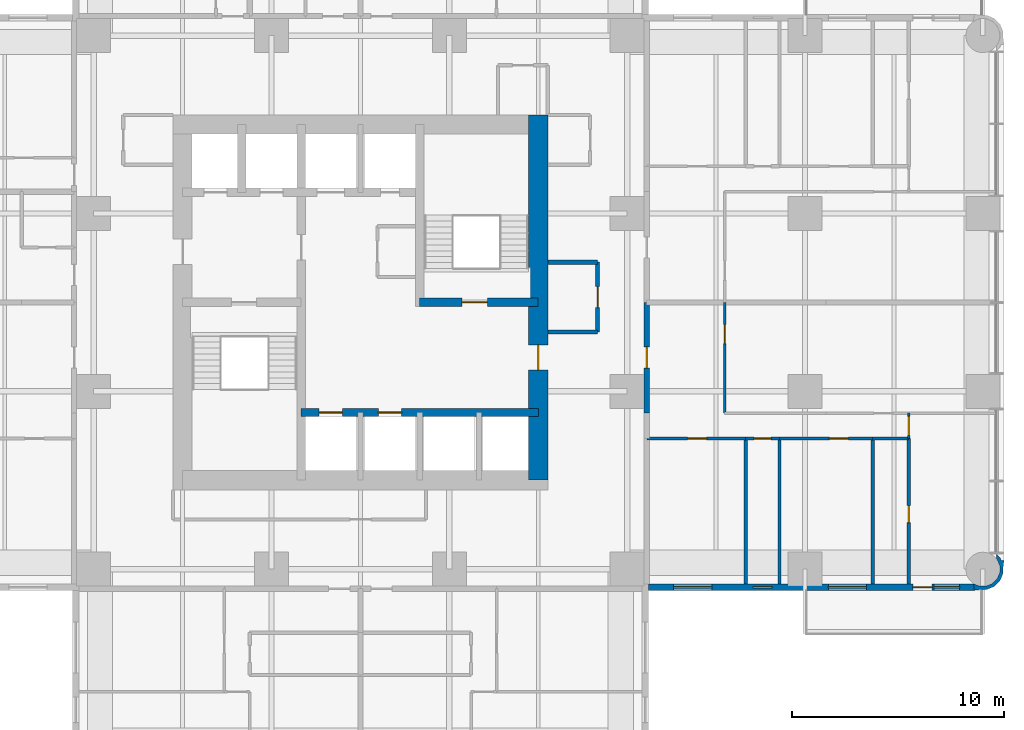
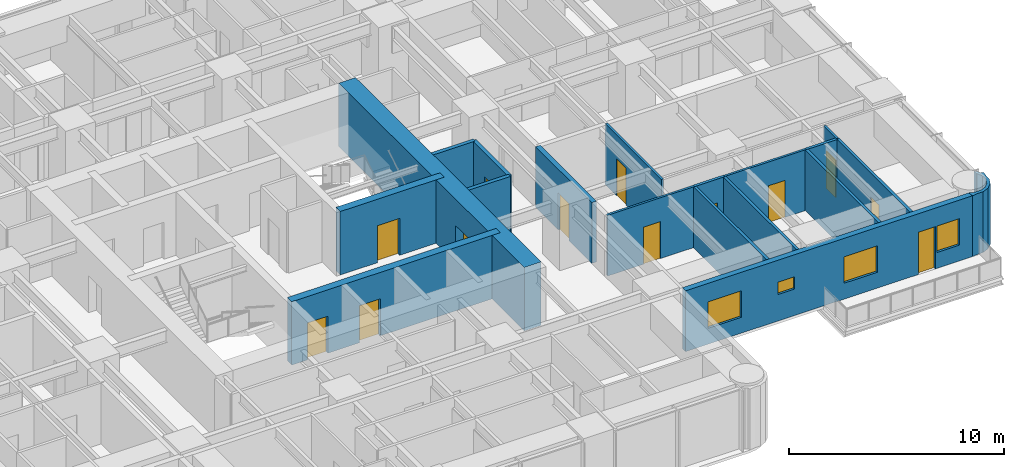
# One storey, part 9 of 14: 19 walls, 13 doors, 4 windows, 17 openings.
"""IFC4 building model written with IfcOpenShell, lengths in metres."""

from ifc_helpers import new_model, si_unit, direction, frame, frame_2d, origin, place, context, subcontext, project, spatial, polyline, rectangle, outline, extrude, material, layer, layer_set, type_object, element, fill, save


model = new_model("IFC4")

# Units and contexts
model_context = context("Model", 3, precision=1e-05, world=origin(), true_north=direction((0.0, 1.0)))
body_context = subcontext(model_context, "Body", "Model", "MODEL_VIEW")
ifc_project = project(units=[si_unit("LENGTHUNIT", "METRE"), si_unit("AREAUNIT", "SQUARE_METRE"), si_unit("VOLUMEUNIT", "CUBIC_METRE"), si_unit("PLANEANGLEUNIT", "RADIAN"), si_unit("MASSUNIT", "GRAM", prefix="KILO")], contexts=[model_context])

# Site, building, storey
site_placement = place(None, origin())
site = spatial("IfcSite", under=ifc_project, at=site_placement, CompositionType="ELEMENT")
building_placement = place(site_placement, origin())
building = spatial("IfcBuilding", under=site, at=building_placement, Name="Torre Alcanfor", CompositionType="ELEMENT")
storey_placement = place(building_placement, frame((0.0, 0.0, 134.10009765625)))
storey = spatial("IfcBuildingStorey", under=building, at=storey_placement, Name="L34", CompositionType="ELEMENT", Elevation=134.10009765625)

# Wall, opening, door
ifc_material_1 = material(Name="Concrete block masonry, hollow blocks NMX-C-404 9 MPa", Category="masonry")
ifc_layer_1 = layer(ifc_material_1, 0.25)
ifc_layer_set_1 = layer_set([ifc_layer_1], Name="Apartment entrance wall 250 EI 60")
wall_type_1 = type_object("IfcWallType", Name="Apartment entrance wall 250 EI 60", PredefinedType="PARTITIONING", material=ifc_layer_set_1)
wall_1_placement = place(storey_placement, frame((42.925048828125, 29.39990234375, 0.0), z_axis=(0.0, 0.0, 1.0), x_axis=(0.0, -1.0, 0.0)))
wall_1 = element("IfcWall", 1, at=wall_1_placement, inside=storey, type_object=wall_type_1, Name="Partition L34-CORR / L34-E2-ZAG", PredefinedType="PARTITIONING", context=body_context, shape_type="SweptSolid", body=[
    extrude(rectangle(XDim=5.22900390625, YDim=0.25, at=frame_2d((2.614501953125, 0.0))), origin(), (0.0, 0.0, 1.0), 3.449951171875),
])
opening_1_placement = place(wall_1_placement, frame((2.10009765625, 0.0, 0.0)))
opening_1 = element("IfcOpeningElement", 2, at=opening_1_placement, cuts=wall_1, Name="Opening D-A1", PredefinedType="OPENING", context=body_context, shape_type="SweptSolid", body=[
    extrude(rectangle(XDim=1.0, YDim=2.10009765625, at=frame_2d((0.5, 1.050048828125))), frame((0.0, 0.135009765625, 0.0), z_axis=(0.0, -1.0, 0.0), x_axis=(1.0, 0.0, 0.0)), (0.0, 0.0, 1.0), 0.27001953125),
])
ifc_material_2 = material(Name="Galvanised steel sheet ASTM A653", Category="steel")
door_type_1 = type_object("IfcDoorType", Name="Apartment entrance door FD60 1000x2100", OperationType="SINGLE_SWING_LEFT", PredefinedType="DOOR", material=ifc_material_2)
door_1_placement = place(opening_1_placement, origin())
door_1 = element("IfcDoor", 3, at=door_1_placement, inside=storey, type_object=door_type_1, Name="Apartment entrance L34-E2", OperationType="SINGLE_SWING_LEFT", OverallHeight=2.10009765625, OverallWidth=1.0, PredefinedType="DOOR", context=body_context, shape_type="SweptSolid", body=[
    extrude(rectangle(XDim=1.0, YDim=2.10009765625, at=frame_2d((0.5, 1.050048828125))), frame((0.0, 0.02490234375, 0.0), z_axis=(0.0, -1.0, 0.0), x_axis=(1.0, 0.0, 0.0)), (0.0, 0.0, 1.0), 0.050048828125),
])
fill(opening_1, door_1)

ifc_material_3 = material(Name="Gypsum board on steel studs", Category="steel")
ifc_layer_2 = layer(ifc_material_3, 0.1201171875)
ifc_layer_set_2 = layer_set([ifc_layer_2], Name="Apartment partition 120")
wall_type_2 = type_object("IfcWallType", Name="Apartment partition 120", PredefinedType="PARTITIONING", material=ifc_layer_set_2)
wall_2_placement = place(storey_placement, frame((46.60009765625, 29.39990234375, 0.0), z_axis=(0.0, 0.0, 1.0), x_axis=(0.0, -1.0, 0.0)))
wall_2 = element("IfcWall", 4, at=wall_2_placement, inside=storey, type_object=wall_type_2, Name="Partition L34-E2-ZAG / L34-E2-KITCHEN", PredefinedType="PARTITIONING", context=body_context, shape_type="SweptSolid", body=[
    extrude(rectangle(XDim=5.22900390625, YDim=0.1201171875, at=frame_2d((2.614501953125, 0.0))), origin(), (0.0, 0.0, 1.0), 3.449951171875),
])
opening_2_placement = place(wall_2_placement, frame((1.050048828125, 0.0, 0.0)))
opening_2 = element("IfcOpeningElement", 5, at=opening_2_placement, cuts=wall_2, Name="Opening D-R1", PredefinedType="OPENING", context=body_context, shape_type="SweptSolid", body=[
    extrude(rectangle(XDim=0.89990234375, YDim=2.10009765625, at=frame_2d((0.449951171875, 1.050048828125))), frame((0.0, 0.070068359375, 0.0), z_axis=(0.0, -1.0, 0.0), x_axis=(1.0, 0.0, 0.0)), (0.0, 0.0, 1.0), 0.14013671875),
])
ifc_material_4 = material(Name="Timber", Category="wood")
door_type_2 = type_object("IfcDoorType", Name="Internal door 900x2100", OperationType="SINGLE_SWING_LEFT", PredefinedType="DOOR", material=ifc_material_4)
door_2_placement = place(opening_2_placement, origin())
door_2 = element("IfcDoor", 6, at=door_2_placement, inside=storey, type_object=door_type_2, Name="Door L34-E2 kitchen", OperationType="SINGLE_SWING_LEFT", OverallHeight=2.10009765625, OverallWidth=0.89990234375, PredefinedType="DOOR", context=body_context, shape_type="SweptSolid", body=[
    extrude(rectangle(XDim=0.89990234375, YDim=2.10009765625, at=frame_2d((0.449951171875, 1.050048828125))), frame((0.0, 0.02490234375, 0.0), z_axis=(0.0, -1.0, 0.0), x_axis=(1.0, 0.0, 0.0)), (0.0, 0.0, 1.0), 0.050048828125),
])
fill(opening_2, door_2)

wall_3_placement = place(storey_placement, frame((47.60009765625, 22.970947265625, 0.0), z_axis=(0.0, 0.0, 1.0), x_axis=(-1.0, 0.0, 0.0)))
wall_3 = element("IfcWall", 7, at=wall_3_placement, inside=storey, type_object=wall_type_2, Name="Partition L34-E2-HALL / L34-E2-BED3", PredefinedType="PARTITIONING", context=body_context, shape_type="SweptSolid", body=[
    extrude(rectangle(XDim=4.675048828125, YDim=0.1201171875, at=frame_2d((2.33740234375, 0.0))), origin(), (0.0, 0.0, 1.0), 3.449951171875),
])
opening_3_placement = place(wall_3_placement, frame((1.85009765625, 0.0, 0.0)))
opening_3 = element("IfcOpeningElement", 8, at=opening_3_placement, cuts=wall_3, Name="Opening D-R1", PredefinedType="OPENING", context=body_context, shape_type="SweptSolid", body=[
    extrude(rectangle(XDim=0.89990234375, YDim=2.10009765625, at=frame_2d((0.449951171875, 1.050048828125))), frame((0.0, 0.070068359375, 0.0), z_axis=(0.0, -1.0, 0.0), x_axis=(1.0, 0.0, 0.0)), (0.0, 0.0, 1.0), 0.14013671875),
])
door_3_placement = place(opening_3_placement, origin())
door_3 = element("IfcDoor", 9, at=door_3_placement, inside=storey, type_object=door_type_2, Name="Door L34-E2 bed3", OperationType="SINGLE_SWING_LEFT", OverallHeight=2.10009765625, OverallWidth=0.89990234375, PredefinedType="DOOR", context=body_context, shape_type="SweptSolid", body=[
    extrude(rectangle(XDim=0.89990234375, YDim=2.10009765625, at=frame_2d((0.449951171875, 1.050048828125))), frame((0.0, 0.02490234375, 0.0), z_axis=(0.0, -1.0, 0.0), x_axis=(1.0, 0.0, 0.0)), (0.0, 0.0, 1.0), 0.050048828125),
])
fill(opening_3, door_3)

wall_4_placement = place(storey_placement, frame((53.60009765625, 22.970947265625, 0.0), z_axis=(0.0, 0.0, 1.0), x_axis=(-1.0, 0.0, 0.0)))
wall_4 = element("IfcWall", 10, at=wall_4_placement, inside=storey, type_object=wall_type_2, Name="Partition L34-E2-HALL / L34-E2-BED2", PredefinedType="PARTITIONING", context=body_context, shape_type="SweptSolid", body=[
    extrude(rectangle(XDim=4.400146484375, YDim=0.1201171875, at=frame_2d((2.2001953125, 0.0))), origin(), (0.0, 0.0, 1.0), 3.449951171875),
])
opening_4_placement = place(wall_4_placement, frame((1.14990234375, 0.0, 0.0)))
opening_4 = element("IfcOpeningElement", 11, at=opening_4_placement, cuts=wall_4, Name="Opening D-R1", PredefinedType="OPENING", context=body_context, shape_type="SweptSolid", body=[
    extrude(rectangle(XDim=0.89990234375, YDim=2.10009765625, at=frame_2d((0.449951171875, 1.050048828125))), frame((0.0, 0.070068359375, 0.0), z_axis=(0.0, -1.0, 0.0), x_axis=(1.0, 0.0, 0.0)), (0.0, 0.0, 1.0), 0.14013671875),
])
door_4_placement = place(opening_4_placement, origin())
door_4 = element("IfcDoor", 12, at=door_4_placement, inside=storey, type_object=door_type_2, Name="Door L34-E2 bed2", OperationType="SINGLE_SWING_LEFT", OverallHeight=2.10009765625, OverallWidth=0.89990234375, PredefinedType="DOOR", context=body_context, shape_type="SweptSolid", body=[
    extrude(rectangle(XDim=0.89990234375, YDim=2.10009765625, at=frame_2d((0.449951171875, 1.050048828125))), frame((0.0, 0.02490234375, 0.0), z_axis=(0.0, -1.0, 0.0), x_axis=(1.0, 0.0, 0.0)), (0.0, 0.0, 1.0), 0.050048828125),
])
fill(opening_4, door_4)

wall_5_placement = place(storey_placement, frame((55.300048828125, 24.1708984375, 0.0), z_axis=(0.0, 0.0, 1.0), x_axis=(0.0, -1.0, 0.0)))
wall_5 = element("IfcWall", 13, at=wall_5_placement, inside=storey, type_object=wall_type_2, Name="Partition L34-E2-HALL / L34-E2-MASTER", PredefinedType="PARTITIONING", context=body_context, shape_type="SweptSolid", body=[
    extrude(rectangle(XDim=1.199951171875, YDim=0.1201171875, at=frame_2d((0.60009765625, 0.0))), origin(), (0.0, 0.0, 1.0), 3.449951171875),
])
opening_5_placement = place(wall_5_placement, frame((0.15087890625, 0.0, 0.0)))
opening_5 = element("IfcOpeningElement", 14, at=opening_5_placement, cuts=wall_5, Name="Opening D-R1", PredefinedType="OPENING", context=body_context, shape_type="SweptSolid", body=[
    extrude(rectangle(XDim=0.89990234375, YDim=2.10009765625, at=frame_2d((0.449951171875, 1.050048828125))), frame((0.0, 0.070068359375, 0.0), z_axis=(0.0, -1.0, 0.0), x_axis=(1.0, 0.0, 0.0)), (0.0, 0.0, 1.0), 0.14013671875),
])
door_5_placement = place(opening_5_placement, origin())
door_5 = element("IfcDoor", 15, at=door_5_placement, inside=storey, type_object=door_type_2, Name="Door L34-E2 master", OperationType="SINGLE_SWING_LEFT", OverallHeight=2.10009765625, OverallWidth=0.89990234375, PredefinedType="DOOR", context=body_context, shape_type="SweptSolid", body=[
    extrude(rectangle(XDim=0.89990234375, YDim=2.10009765625, at=frame_2d((0.449951171875, 1.050048828125))), frame((0.0, 0.02490234375, 0.0), z_axis=(0.0, -1.0, 0.0), x_axis=(1.0, 0.0, 0.0)), (0.0, 0.0, 1.0), 0.050048828125),
])
fill(opening_5, door_5)

# Wall, openings, doors
ifc_material_5 = material(Name="Concrete f'c 70 MPa", Category="concrete")
ifc_layer_3 = layer(ifc_material_5, 0.39990234375)
ifc_layer_set_3 = layer_set([ifc_layer_3], Name="Core inner wall 400 f'c70")
wall_type_3 = type_object("IfcWallType", Name="Core inner wall 400 f'c70", PredefinedType="SHEAR", material=ifc_layer_set_3)
wall_6_placement = place(storey_placement, frame((26.60009765625, 24.199951171875, 0.0), z_axis=(0.0, 0.0, 1.0), x_axis=(1.0, 0.0, 0.0)))
wall_6 = element("IfcWall", 16, at=wall_6_placement, inside=storey, type_object=wall_type_3, Name="Core wall Y242 L34", PredefinedType="SHEAR", context=body_context, shape_type="SweptSolid", body=[
    extrude(rectangle(XDim=11.199951171875, YDim=0.39990234375, at=frame_2d((5.60009765625, 0.0))), origin(), (0.0, 0.0, 1.0), 3.599853515625),
])
opening_6_placement = place(wall_6_placement, frame((0.85009765625, 0.0, 0.0)))
opening_6 = element("IfcOpeningElement", 17, at=opening_6_placement, cuts=wall_6, Name="Opening LD1", PredefinedType="OPENING", context=body_context, shape_type="SweptSolid", body=[
    extrude(rectangle(XDim=1.10009765625, YDim=2.10009765625, at=frame_2d((0.550048828125, 1.050048828125))), frame((0.0, 0.2099609375, 0.0), z_axis=(0.0, -1.0, 0.0), x_axis=(1.0, 0.0, 0.0)), (0.0, 0.0, 1.0), 0.419921875),
])
opening_7_placement = place(wall_6_placement, frame((3.64990234375, 0.0, 0.0)))
opening_7 = element("IfcOpeningElement", 18, at=opening_7_placement, cuts=wall_6, Name="Opening LD1", PredefinedType="OPENING", context=body_context, shape_type="SweptSolid", body=[
    extrude(rectangle(XDim=1.10009765625, YDim=2.10009765625, at=frame_2d((0.550048828125, 1.050048828125))), frame((0.0, 0.2099609375, 0.0), z_axis=(0.0, -1.0, 0.0), x_axis=(1.0, 0.0, 0.0)), (0.0, 0.0, 1.0), 0.419921875),
])
ifc_material_6 = material(Name="Galvanised steel sheet ASTM A653", Category="steel")
door_type_3 = type_object("IfcDoorType", Name="Lift landing door 1100x2100", OperationType="DOUBLE_DOOR_SLIDING", PredefinedType="DOOR", material=ifc_material_6)
door_6_placement = place(opening_6_placement, origin())
door_6 = element("IfcDoor", 19, at=door_6_placement, inside=storey, type_object=door_type_3, Name="Lift landing door PA1 L34", OperationType="DOUBLE_DOOR_SLIDING", OverallHeight=2.10009765625, OverallWidth=1.10009765625, PredefinedType="DOOR", context=body_context, shape_type="SweptSolid", body=[
    extrude(rectangle(XDim=1.10009765625, YDim=2.10009765625, at=frame_2d((0.550048828125, 1.050048828125))), frame((0.0, 0.02490234375, 0.0), z_axis=(0.0, -1.0, 0.0), x_axis=(1.0, 0.0, 0.0)), (0.0, 0.0, 1.0), 0.050048828125),
])
fill(opening_6, door_6)
door_7_placement = place(opening_7_placement, origin())
door_7 = element("IfcDoor", 20, at=door_7_placement, inside=storey, type_object=door_type_3, Name="Lift landing door PA2 L34", OperationType="DOUBLE_DOOR_SLIDING", OverallHeight=2.10009765625, OverallWidth=1.10009765625, PredefinedType="DOOR", context=body_context, shape_type="SweptSolid", body=[
    extrude(rectangle(XDim=1.10009765625, YDim=2.10009765625, at=frame_2d((0.550048828125, 1.050048828125))), frame((0.0, 0.02490234375, 0.0), z_axis=(0.0, -1.0, 0.0), x_axis=(1.0, 0.0, 0.0)), (0.0, 0.0, 1.0), 0.050048828125),
])
fill(opening_7, door_7)

# Wall, opening, door
wall_7_placement = place(storey_placement, frame((32.199951171875, 29.39990234375, 0.0), z_axis=(0.0, 0.0, 1.0), x_axis=(1.0, 0.0, 0.0)))
wall_7 = element("IfcWall", 21, at=wall_7_placement, inside=storey, type_object=wall_type_3, Name="Core wall Y294E L34", PredefinedType="SHEAR", context=body_context, shape_type="SweptSolid", body=[
    extrude(rectangle(XDim=5.60009765625, YDim=0.39990234375, at=frame_2d((2.800048828125, 0.0))), origin(), (0.0, 0.0, 1.0), 3.599853515625),
])
opening_8_placement = place(wall_7_placement, frame((2.0, 0.0, 0.0)))
opening_8 = element("IfcOpeningElement", 22, at=opening_8_placement, cuts=wall_7, Name="Opening D-S2", PredefinedType="OPENING", context=body_context, shape_type="SweptSolid", body=[
    extrude(rectangle(XDim=1.199951171875, YDim=2.10009765625, at=frame_2d((0.60009765625, 1.050048828125))), frame((0.0, 0.2099609375, 0.0), z_axis=(0.0, -1.0, 0.0), x_axis=(1.0, 0.0, 0.0)), (0.0, 0.0, 1.0), 0.419921875),
])
ifc_material_7 = material(Name="Galvanised steel sheet ASTM A653", Category="steel")
door_type_4 = type_object("IfcDoorType", Name="Stair enclosure door FD120 1200x2100", OperationType="SINGLE_SWING_LEFT", PredefinedType="DOOR", material=ifc_material_7)
door_8_placement = place(opening_8_placement, origin())
door_8 = element("IfcDoor", 23, at=door_8_placement, inside=storey, type_object=door_type_4, Name="Stair S2 door L34", OperationType="SINGLE_SWING_LEFT", OverallHeight=2.10009765625, OverallWidth=1.199951171875, PredefinedType="DOOR", context=body_context, shape_type="SweptSolid", body=[
    extrude(rectangle(XDim=1.199951171875, YDim=2.10009765625, at=frame_2d((0.60009765625, 1.050048828125))), frame((0.0, 0.02490234375, 0.0), z_axis=(0.0, -1.0, 0.0), x_axis=(1.0, 0.0, 0.0)), (0.0, 0.0, 1.0), 0.050048828125),
])
fill(opening_8, door_8)

ifc_material_8 = material(Name="Concrete f'c 70 MPa", Category="concrete")
ifc_layer_4 = layer(ifc_material_8, 0.89990234375)
ifc_layer_set_4 = layer_set([ifc_layer_4], Name="Core wall 900 f'c70")
wall_type_4 = type_object("IfcWallType", Name="Core wall 900 f'c70", PredefinedType="SHEAR", material=ifc_layer_set_4)
wall_8_placement = place(storey_placement, frame((37.800048828125, 21.0, 0.0), z_axis=(0.0, 0.0, 1.0), x_axis=(0.0, 1.0, 0.0)))
wall_8 = element("IfcWall", 24, at=wall_8_placement, inside=storey, type_object=wall_type_4, Name="Core wall OUT-E L34", PredefinedType="SHEAR", context=body_context, shape_type="SweptSolid", body=[
    extrude(rectangle(XDim=17.25, YDim=0.89990234375, at=frame_2d((8.625, 0.0))), origin(), (0.0, 0.0, 1.0), 3.599853515625),
])
opening_9_placement = place(wall_8_placement, frame((5.199951171875, 0.0, 0.0)))
opening_9 = element("IfcOpeningElement", 25, at=opening_9_placement, cuts=wall_8, Name="Opening D-L1", PredefinedType="OPENING", context=body_context, shape_type="SweptSolid", body=[
    extrude(rectangle(XDim=1.199951171875, YDim=2.10009765625, at=frame_2d((0.60009765625, 1.050048828125))), frame((0.0, 0.4599609375, 0.0), z_axis=(0.0, -1.0, 0.0), x_axis=(1.0, 0.0, 0.0)), (0.0, 0.0, 1.0), 0.919921875),
])
ifc_material_9 = material(Name="Galvanised steel sheet ASTM A653", Category="steel")
door_type_5 = type_object("IfcDoorType", Name="Lobby door FD120 1200x2100", OperationType="SINGLE_SWING_LEFT", PredefinedType="DOOR", material=ifc_material_9)
door_9_placement = place(opening_9_placement, origin())
door_9 = element("IfcDoor", 26, at=door_9_placement, inside=storey, type_object=door_type_5, Name="Lift lobby entrance door L34", OperationType="SINGLE_SWING_LEFT", OverallHeight=2.10009765625, OverallWidth=1.199951171875, PredefinedType="DOOR", context=body_context, shape_type="SweptSolid", body=[
    extrude(rectangle(XDim=1.199951171875, YDim=2.10009765625, at=frame_2d((0.60009765625, 1.050048828125))), frame((0.0, 0.02490234375, 0.0), z_axis=(0.0, -1.0, 0.0), x_axis=(1.0, 0.0, 0.0)), (0.0, 0.0, 1.0), 0.050048828125),
])
fill(opening_9, door_9)

# Wall, openings, door, windows
ifc_material_10 = material(Name="Limestone cladding", Category="masonry")
ifc_layer_5 = layer(ifc_material_10, 0.0400390625, Name="Facing")
ifc_material_11 = material(Name="Ventilated air cavity")
ifc_layer_6 = layer(ifc_material_11, 0.02001953125, ventilated=True, Name="Ventilated joint")
ifc_material_12 = material(Name="Mineral wool insulation", Category="insulation")
ifc_layer_7 = layer(ifc_material_12, 0.10009765625, Name="Insulation")
ifc_material_13 = material(Name="Concrete f'c 35 MPa", Category="concrete")
ifc_layer_8 = layer(ifc_material_13, 0.139892578125, Name="Backing")
ifc_layer_set_5 = layer_set([ifc_layer_5, ifc_layer_6, ifc_layer_7, ifc_layer_8], Name="External wall stone-clad 300")
wall_type_5 = type_object("IfcWallType", Name="External wall stone-clad 300", PredefinedType="SOLIDWALL", material=ifc_layer_set_5)
wall_9_placement = place(storey_placement, frame((43.0, 15.949951171875, 0.0), z_axis=(0.0, 0.0, 1.0), x_axis=(1.0, 0.0, 0.0)))
wall_9 = element("IfcWall", 27, at=wall_9_placement, inside=storey, type_object=wall_type_5, Name="External wall L34 7", PredefinedType="SOLIDWALL", context=body_context, shape_type="SweptSolid", body=[
    extrude(rectangle(XDim=15.39990234375, YDim=0.300048828125, at=frame_2d((7.699951171875, 0.0))), origin(), (0.0, 0.0, 1.0), 3.449951171875),
])
opening_10_placement = place(wall_9_placement, frame((1.199951171875, 0.0, 0.89990234375)))
opening_10 = element("IfcOpeningElement", 28, at=opening_10_placement, cuts=wall_9, Name="Opening W2", PredefinedType="OPENING", context=body_context, shape_type="SweptSolid", body=[
    extrude(rectangle(XDim=1.800048828125, YDim=1.5, at=frame_2d((0.89990234375, 0.75))), frame((0.0, 0.159912109375, 0.0), z_axis=(0.0, -1.0, 0.0), x_axis=(1.0, 0.0, 0.0)), (0.0, 0.0, 1.0), 0.320068359375),
])
opening_11_placement = place(wall_9_placement, frame((4.949951171875, 0.0, 1.5)))
opening_11 = element("IfcOpeningElement", 29, at=opening_11_placement, cuts=wall_9, Name="Opening W3", PredefinedType="OPENING", context=body_context, shape_type="SweptSolid", body=[
    extrude(rectangle(XDim=0.89990234375, YDim=0.699951171875, at=frame_2d((0.449951171875, 0.35009765625))), frame((0.0, 0.159912109375, 0.0), z_axis=(0.0, -1.0, 0.0), x_axis=(1.0, 0.0, 0.0)), (0.0, 0.0, 1.0), 0.320068359375),
])
opening_12_placement = place(wall_9_placement, frame((8.5, 0.0, 0.89990234375)))
opening_12 = element("IfcOpeningElement", 30, at=opening_12_placement, cuts=wall_9, Name="Opening W2", PredefinedType="OPENING", context=body_context, shape_type="SweptSolid", body=[
    extrude(rectangle(XDim=1.800048828125, YDim=1.5, at=frame_2d((0.89990234375, 0.75))), frame((0.0, 0.159912109375, 0.0), z_axis=(0.0, -1.0, 0.0), x_axis=(1.0, 0.0, 0.0)), (0.0, 0.0, 1.0), 0.320068359375),
])
opening_13_placement = place(wall_9_placement, frame((12.5, 0.0, 0.0)))
opening_13 = element("IfcOpeningElement", 31, at=opening_13_placement, cuts=wall_9, Name="Opening D-B1", PredefinedType="OPENING", context=body_context, shape_type="SweptSolid", body=[
    extrude(rectangle(XDim=0.89990234375, YDim=2.39990234375, at=frame_2d((0.449951171875, 1.199951171875))), frame((0.0, 0.159912109375, 0.0), z_axis=(0.0, -1.0, 0.0), x_axis=(1.0, 0.0, 0.0)), (0.0, 0.0, 1.0), 0.320068359375),
])
opening_14_placement = place(wall_9_placement, frame((13.5, 0.0, 0.89990234375)))
opening_14 = element("IfcOpeningElement", 32, at=opening_14_placement, cuts=wall_9, Name="Opening W4", PredefinedType="OPENING", context=body_context, shape_type="SweptSolid", body=[
    extrude(rectangle(XDim=1.199951171875, YDim=1.5, at=frame_2d((0.60009765625, 0.75))), frame((0.0, 0.159912109375, 0.0), z_axis=(0.0, -1.0, 0.0), x_axis=(1.0, 0.0, 0.0)), (0.0, 0.0, 1.0), 0.320068359375),
])
ifc_material_14 = material(Name="Aluminium and glass", Category="aluminium")
door_type_6 = type_object("IfcDoorType", Name="Balcony door glazed 900x2400", OperationType="SINGLE_SWING_LEFT", PredefinedType="DOOR", material=ifc_material_14)
door_10_placement = place(opening_13_placement, origin())
door_10 = element("IfcDoor", 33, at=door_10_placement, inside=storey, type_object=door_type_6, Name="Balcony door L34-E2", OperationType="SINGLE_SWING_LEFT", OverallHeight=2.39990234375, OverallWidth=0.89990234375, PredefinedType="DOOR", context=body_context, shape_type="SweptSolid", body=[
    extrude(rectangle(XDim=0.89990234375, YDim=2.39990234375, at=frame_2d((0.449951171875, 1.199951171875))), frame((0.0, 0.02490234375, 0.0), z_axis=(0.0, -1.0, 0.0), x_axis=(1.0, 0.0, 0.0)), (0.0, 0.0, 1.0), 0.050048828125),
])
fill(opening_13, door_10)
ifc_material_15 = material(Name="Aluminium frame with clear double glazing", Category="aluminium")
window_type_1 = type_object("IfcWindowType", Name="Window bathroom 900x700", PartitioningType="SINGLE_PANEL", PredefinedType="WINDOW", material=ifc_material_15)
window_1_placement = place(opening_11_placement, origin())
window_1 = element("IfcWindow", 34, at=window_1_placement, inside=storey, type_object=window_type_1, Name="Window W3 L34-E2", OverallHeight=0.699951171875, OverallWidth=0.89990234375, PartitioningType="SINGLE_PANEL", PredefinedType="WINDOW", context=body_context, shape_type="SweptSolid", body=[
    extrude(rectangle(XDim=0.89990234375, YDim=0.699951171875, at=frame_2d((0.449951171875, 0.35009765625))), frame((0.0, 0.030029296875, 0.0), z_axis=(0.0, -1.0, 0.0), x_axis=(1.0, 0.0, 0.0)), (0.0, 0.0, 1.0), 0.06005859375),
])
fill(opening_11, window_1)
ifc_material_16 = material(Name="Aluminium frame with clear double glazing", Category="aluminium")
window_type_2 = type_object("IfcWindowType", Name="Window bedroom 1200x1500", PartitioningType="SINGLE_PANEL", PredefinedType="WINDOW", material=ifc_material_16)
window_2_placement = place(opening_14_placement, origin())
window_2 = element("IfcWindow", 35, at=window_2_placement, inside=storey, type_object=window_type_2, Name="Window W4 L34-E2", OverallHeight=1.5, OverallWidth=1.199951171875, PartitioningType="SINGLE_PANEL", PredefinedType="WINDOW", context=body_context, shape_type="SweptSolid", body=[
    extrude(rectangle(XDim=1.199951171875, YDim=1.5, at=frame_2d((0.60009765625, 0.75))), frame((0.0, 0.030029296875, 0.0), z_axis=(0.0, -1.0, 0.0), x_axis=(1.0, 0.0, 0.0)), (0.0, 0.0, 1.0), 0.06005859375),
])
fill(opening_14, window_2)
ifc_material_17 = material(Name="Aluminium frame with clear double glazing", Category="aluminium")
window_type_3 = type_object("IfcWindowType", Name="Window bedroom 1800x1500", PartitioningType="SINGLE_PANEL", PredefinedType="WINDOW", material=ifc_material_17)
window_3_placement = place(opening_10_placement, origin())
window_3 = element("IfcWindow", 36, at=window_3_placement, inside=storey, type_object=window_type_3, Name="Window W2 L34-E2", OverallHeight=1.5, OverallWidth=1.800048828125, PartitioningType="SINGLE_PANEL", PredefinedType="WINDOW", context=body_context, shape_type="SweptSolid", body=[
    extrude(rectangle(XDim=1.800048828125, YDim=1.5, at=frame_2d((0.89990234375, 0.75))), frame((0.0, 0.030029296875, 0.0), z_axis=(0.0, -1.0, 0.0), x_axis=(1.0, 0.0, 0.0)), (0.0, 0.0, 1.0), 0.06005859375),
])
fill(opening_10, window_3)
window_4_placement = place(opening_12_placement, origin())
window_4 = element("IfcWindow", 37, at=window_4_placement, inside=storey, type_object=window_type_3, Name="Window W2 L34-E2", OverallHeight=1.5, OverallWidth=1.800048828125, PartitioningType="SINGLE_PANEL", PredefinedType="WINDOW", context=body_context, shape_type="SweptSolid", body=[
    extrude(rectangle(XDim=1.800048828125, YDim=1.5, at=frame_2d((0.89990234375, 0.75))), frame((0.0, 0.030029296875, 0.0), z_axis=(0.0, -1.0, 0.0), x_axis=(1.0, 0.0, 0.0)), (0.0, 0.0, 1.0), 0.06005859375),
])
fill(opening_12, window_4)

# Wall
ifc_material_18 = material(Name="Concrete block masonry, hollow blocks NMX-C-404 9 MPa", Category="masonry")
ifc_layer_9 = layer(ifc_material_18, 0.199951171875)
ifc_layer_set_6 = layer_set([ifc_layer_9], Name="Plant room wall 200 EI 60")
wall_type_6 = type_object("IfcWallType", Name="Plant room wall 200 EI 60", PredefinedType="PARTITIONING", material=ifc_layer_set_6)
wall_10_placement = place(storey_placement, frame((38.25, 28.0, 0.0), z_axis=(0.0, 0.0, 1.0), x_axis=(1.0, 0.0, 0.0)))
element("IfcWall", 38, at=wall_10_placement, inside=storey, type_object=wall_type_6, Name="Partition L34-CORR / L34-G02", PredefinedType="PARTITIONING", context=body_context, shape_type="SweptSolid", body=[
    extrude(rectangle(XDim=2.35009765625, YDim=0.199951171875, at=frame_2d((1.175048828125, 0.0))), origin(), (0.0, 0.0, 1.0), 3.449951171875),
])

# Wall, opening, door
wall_11_placement = place(storey_placement, frame((40.60009765625, 28.0, 0.0), z_axis=(0.0, 0.0, 1.0), x_axis=(0.0, 1.0, 0.0)))
wall_11 = element("IfcWall", 39, at=wall_11_placement, inside=storey, type_object=wall_type_6, Name="Partition L34-CORR / L34-G02", PredefinedType="PARTITIONING", context=body_context, shape_type="SweptSolid", body=[
    extrude(rectangle(XDim=3.300048828125, YDim=0.199951171875, at=frame_2d((1.64990234375, 0.0))), origin(), (0.0, 0.0, 1.0), 3.449951171875),
])
opening_15_placement = place(wall_11_placement, frame((1.14990234375, 0.0, 0.0)))
opening_15 = element("IfcOpeningElement", 40, at=opening_15_placement, cuts=wall_11, Name="Opening D-K1", PredefinedType="OPENING", context=body_context, shape_type="SweptSolid", body=[
    extrude(rectangle(XDim=1.0, YDim=2.10009765625, at=frame_2d((0.5, 1.050048828125))), frame((0.0, 0.10986328125, 0.0), z_axis=(0.0, -1.0, 0.0), x_axis=(1.0, 0.0, 0.0)), (0.0, 0.0, 1.0), 0.219970703125),
])
ifc_material_19 = material(Name="Galvanised steel sheet ASTM A653", Category="steel")
door_type_7 = type_object("IfcDoorType", Name="Core room door FD60 1000x2100", OperationType="SINGLE_SWING_LEFT", PredefinedType="DOOR", material=ifc_material_19)
door_11_placement = place(opening_15_placement, origin())
door_11 = element("IfcDoor", 41, at=door_11_placement, inside=storey, type_object=door_type_7, Name="Door L34-G02 refuse and recycling store", OperationType="SINGLE_SWING_LEFT", OverallHeight=2.10009765625, OverallWidth=1.0, PredefinedType="DOOR", context=body_context, shape_type="SweptSolid", body=[
    extrude(rectangle(XDim=1.0, YDim=2.10009765625, at=frame_2d((0.5, 1.050048828125))), frame((0.0, 0.02490234375, 0.0), z_axis=(0.0, -1.0, 0.0), x_axis=(1.0, 0.0, 0.0)), (0.0, 0.0, 1.0), 0.050048828125),
])
fill(opening_15, door_11)

# Walls
wall_12_placement = place(storey_placement, frame((40.60009765625, 31.300048828125, 0.0), z_axis=(0.0, 0.0, 1.0), x_axis=(-1.0, 0.0, 0.0)))
element("IfcWall", 42, at=wall_12_placement, inside=storey, type_object=wall_type_6, Name="Partition L34-CORR / L34-G02", PredefinedType="PARTITIONING", context=body_context, shape_type="SweptSolid", body=[
    extrude(rectangle(XDim=2.35009765625, YDim=0.199951171875, at=frame_2d((1.175048828125, 0.0))), origin(), (0.0, 0.0, 1.0), 3.449951171875),
])
ifc_layer_10 = layer(ifc_material_10, 0.0400390625, Name="Facing")
ifc_layer_11 = layer(ifc_material_11, 0.02001953125, ventilated=True, Name="Ventilated joint")
ifc_layer_12 = layer(ifc_material_12, 0.10009765625, Name="Insulation")
ifc_layer_13 = layer(ifc_material_13, 0.139892578125, Name="Backing")
ifc_layer_set_7 = layer_set([ifc_layer_10, ifc_layer_11, ifc_layer_12, ifc_layer_13], Name="Rounded corner pier stone-clad 300")
wall_type_7 = type_object("IfcWallType", Name="Rounded corner pier stone-clad 300", PredefinedType="SOLIDWALL", material=ifc_layer_set_7)
wall_13_placement = place(storey_placement, frame((58.473176205, 15.982940512, 0.0), z_axis=(0.0, 0.0, 1.0), x_axis=(0.93923434088, -0.343276641956, 0.0)))
element("IfcWall", 43, at=wall_13_placement, inside=storey, type_object=wall_type_7, Name="Corner pier L34 17", PredefinedType="SOLIDWALL", context=body_context, shape_type="SweptSolid", body=[
    extrude(outline(polyline([(0.8284730010654036, 1.5985425833407376), (0.696550254150438, 1.5690420941096577), (0.604150309609554, 1.6696580493968027), (0.3940514645210207, 1.7672868618913617), (0.47123842429676593, 1.5560967183488668), (0.5084988752141064, 1.538782517623304), (0.7242236800575332, 1.304144262222244), (0.8335928250166512, 1.004900899222292), (0.8200123708562836, 0.6864548699061994), (0.6857181921193565, 0.39745154052212156), (0.4509961289443815, 0.18195604093769838), (0.15175276594442946, 0.07258689597858048), (-0.11627514476265094, 0.08405951949541965), (-0.12738305855443924, 0.07818018621272643), (-0.1459567845337466, 0.07139175652560875), (-0.006038883692560254, -0.1969313551897346), (0.2657016888450987, -0.05498461418889633), (0.5353646734335612, 0.04357332793518234), (0.8165937238928549, 0.3018001061266741), (0.9775139424010254, 0.6481031205348973), (0.9937655592370759, 1.0296500763704852), (0.8951238093390822, 1.2995423662179517), (0.8284730010654036, 1.5985425833407376)])), origin(), (0.0, 0.0, 1.0), 3.449951171875),
])

# Wall, opening, door
ifc_material_20 = material(Name="Cement board on steel studs", Category="steel")
ifc_layer_14 = layer(ifc_material_20, 0.14990234375)
ifc_layer_set_8 = layer_set([ifc_layer_14], Name="Wet area partition 150")
wall_type_8 = type_object("IfcWallType", Name="Wet area partition 150", PredefinedType="PARTITIONING", material=ifc_layer_set_8)
wall_14_placement = place(storey_placement, frame((49.199951171875, 22.970947265625, 0.0), z_axis=(0.0, 0.0, 1.0), x_axis=(-1.0, 0.0, 0.0)))
wall_14 = element("IfcWall", 44, at=wall_14_placement, inside=storey, type_object=wall_type_8, Name="Partition L34-E2-HALL / L34-E2-BATH1", PredefinedType="PARTITIONING", context=body_context, shape_type="SweptSolid", body=[
    extrude(rectangle(XDim=1.599853515625, YDim=0.14990234375, at=frame_2d((0.7998046875, 0.0))), origin(), (0.0, 0.0, 1.0), 3.449951171875),
])
opening_16_placement = place(wall_14_placement, frame((0.39990234375, 0.0, 0.0)))
opening_16 = element("IfcOpeningElement", 45, at=opening_16_placement, cuts=wall_14, Name="Opening D-R2", PredefinedType="OPENING", context=body_context, shape_type="SweptSolid", body=[
    extrude(rectangle(XDim=0.800048828125, YDim=2.10009765625, at=frame_2d((0.39990234375, 1.050048828125))), frame((0.0, 0.0849609375, 0.0), z_axis=(0.0, -1.0, 0.0), x_axis=(1.0, 0.0, 0.0)), (0.0, 0.0, 1.0), 0.169921875),
])
ifc_material_21 = material(Name="Timber", Category="wood")
door_type_8 = type_object("IfcDoorType", Name="Bathroom door 800x2100", OperationType="SINGLE_SWING_LEFT", PredefinedType="DOOR", material=ifc_material_21)
door_12_placement = place(opening_16_placement, origin())
door_12 = element("IfcDoor", 46, at=door_12_placement, inside=storey, type_object=door_type_8, Name="Door L34-E2 bath1", OperationType="SINGLE_SWING_LEFT", OverallHeight=2.10009765625, OverallWidth=0.800048828125, PredefinedType="DOOR", context=body_context, shape_type="SweptSolid", body=[
    extrude(rectangle(XDim=0.800048828125, YDim=2.10009765625, at=frame_2d((0.39990234375, 1.050048828125))), frame((0.0, 0.02490234375, 0.0), z_axis=(0.0, -1.0, 0.0), x_axis=(1.0, 0.0, 0.0)), (0.0, 0.0, 1.0), 0.050048828125),
])
fill(opening_16, door_12)

# Walls
wall_15_placement = place(storey_placement, frame((55.300048828125, 22.970947265625, 0.0), z_axis=(0.0, 0.0, 1.0), x_axis=(-1.0, 0.0, 0.0)))
element("IfcWall", 47, at=wall_15_placement, inside=storey, type_object=wall_type_8, Name="Partition L34-E2-HALL / L34-E2-ENSBATH", PredefinedType="PARTITIONING", context=body_context, shape_type="SweptSolid", body=[
    extrude(rectangle(XDim=1.699951171875, YDim=0.14990234375, at=frame_2d((0.85009765625, 0.0))), origin(), (0.0, 0.0, 1.0), 3.449951171875),
])
for number, where, z_axis, x_axis, name in (
    (48, (47.60009765625, 22.970947265625, 0.0), (0.0, 0.0, 1.0), (0.0, -1.0, 0.0), "Partition L34-E2-BED3 / L34-E2-BATH1"),
    (49, (49.199951171875, 22.970947265625, 0.0), (0.0, 0.0, 1.0), (0.0, -1.0, 0.0), "Partition L34-E2-BATH1 / L34-E2-BED2"),
    (50, (53.60009765625, 22.970947265625, 0.0), (0.0, 0.0, 1.0), (0.0, -1.0, 0.0), "Partition L34-E2-BED2 / L34-E2-ENSBATH"),
):
    element("IfcWall", number, at=place(storey_placement, frame(where, z_axis=z_axis, x_axis=x_axis)), inside=storey, type_object=wall_type_8, Name=name, PredefinedType="PARTITIONING", context=body_context, shape_type="SweptSolid", body=[
        extrude(rectangle(XDim=6.870849609375, YDim=0.14990234375, at=frame_2d((3.435546875, 0.0))), origin(), (0.0, 0.0, 1.0), 3.449951171875),
    ])

# Wall, opening, door
wall_16_placement = place(storey_placement, frame((55.300048828125, 22.970947265625, 0.0), z_axis=(0.0, 0.0, 1.0), x_axis=(0.0, -1.0, 0.0)))
wall_16 = element("IfcWall", 51, at=wall_16_placement, inside=storey, type_object=wall_type_8, Name="Partition L34-E2-ENSBATH / L34-E2-MASTER", PredefinedType="PARTITIONING", context=body_context, shape_type="SweptSolid", body=[
    extrude(rectangle(XDim=6.870849609375, YDim=0.14990234375, at=frame_2d((3.435546875, 0.0))), origin(), (0.0, 0.0, 1.0), 3.449951171875),
])
opening_17_placement = place(wall_16_placement, frame((3.1708984375, 0.0, 0.0)))
opening_17 = element("IfcOpeningElement", 52, at=opening_17_placement, cuts=wall_16, Name="Opening D-R2", PredefinedType="OPENING", context=body_context, shape_type="SweptSolid", body=[
    extrude(rectangle(XDim=0.800048828125, YDim=2.10009765625, at=frame_2d((0.39990234375, 1.050048828125))), frame((0.0, 0.0849609375, 0.0), z_axis=(0.0, -1.0, 0.0), x_axis=(1.0, 0.0, 0.0)), (0.0, 0.0, 1.0), 0.169921875),
])
door_13_placement = place(opening_17_placement, frame((0.800048828125, 0.0, 0.0), z_axis=(0.0, 0.0, 1.0), x_axis=(-1.0, 0.0, 0.0)))
door_13 = element("IfcDoor", 53, at=door_13_placement, inside=storey, type_object=door_type_8, Name="Door L34-E2 ensbath", OperationType="SINGLE_SWING_LEFT", OverallHeight=2.10009765625, OverallWidth=0.800048828125, PredefinedType="DOOR", context=body_context, shape_type="SweptSolid", body=[
    extrude(rectangle(XDim=0.800048828125, YDim=2.10009765625, at=frame_2d((0.400146484375, 1.050048828125))), frame((0.0, 0.025146484375, 0.0), z_axis=(0.0, -1.0, 0.0), x_axis=(1.0, 0.0, 0.0)), (0.0, 0.0, 1.0), 0.050048828125),
])
fill(opening_17, door_13)

save(model, "model.ifc")
